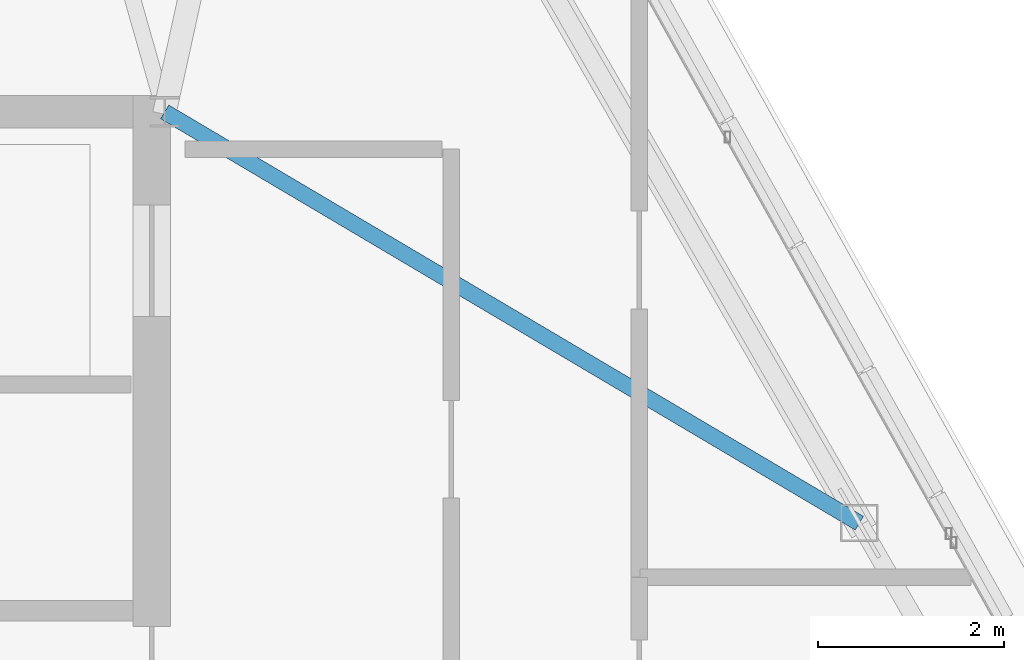
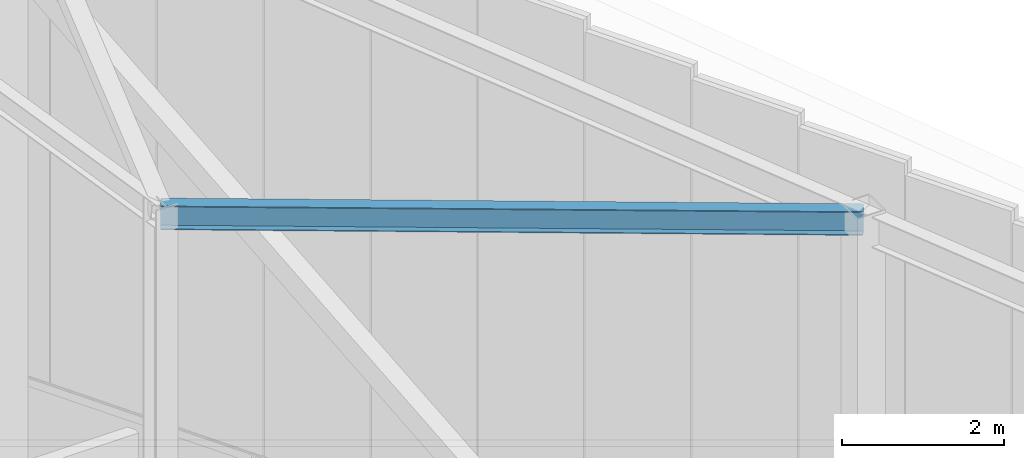
# One storey, part 29 of 50: 1 beam.
"""IFC4 building model written with IfcOpenShell, lengths in metres."""

from ifc_helpers import new_model, si_unit, direction, frame, origin, origin_2d, place, context, subcontext, project, spatial, i_section, extrude, source, transform, mapped, material, material_profile, profile_set, type_object, type_shapes, element, save


model = new_model("IFC4")

# Units and contexts
model_context = context("Model", 3, precision=1e-05, world=origin(), true_north=direction((0.0, 1.0)))
body_context = subcontext(model_context, "Body", "Model", "MODEL_VIEW")
ifc_project = project(units=[si_unit("LENGTHUNIT", "METRE"), si_unit("AREAUNIT", "SQUARE_METRE"), si_unit("VOLUMEUNIT", "CUBIC_METRE"), si_unit("PLANEANGLEUNIT", "RADIAN"), si_unit("MASSUNIT", "GRAM", prefix="KILO")], contexts=[model_context])

# Site, building, storey
site_placement = place(None, origin())
site = spatial("IfcSite", under=ifc_project, at=site_placement, CompositionType="ELEMENT")
building_placement = place(site_placement, origin())
building = spatial("IfcBuilding", under=site, at=building_placement, Name="Caelisora Broadcast Tower", CompositionType="ELEMENT")
storey_placement = place(building_placement, frame((0.0, 0.0, 303.39990234375)))
storey = spatial("IfcBuildingStorey", under=building, at=storey_placement, Name="L80", CompositionType="ELEMENT", Elevation=303.39990234375)

# Beam
ifc_material = material(Name="Steel Grade 350 (AS/NZS 3679.1)", Category="steel")
ifc_material_profile = material_profile(ifc_material, i_section(OverallWidth=0.172119140625, OverallDepth=0.358642578125, WebThickness=0.008056640625, FlangeThickness=0.012939453125, at=origin_2d()), Name="Steel Grade 350 (AS/NZS 3679.1)")
ifc_profile_set = profile_set([ifc_material_profile], Name="Steel Grade 350 (AS/NZS 3679.1)")
beam_type = type_object("IfcBeamType", Name="RB02", PredefinedType="USERDEFINED", material=ifc_profile_set)
shared_shape = source(origin(), body_context, "Body", "SweptSolid", [
    extrude(i_section(OverallWidth=0.172119140625, OverallDepth=0.358642578125, WebThickness=0.008056640625, FlangeThickness=0.012939453125, at=origin_2d()), origin(), (0.0, 0.0, 1.0), 8.674072265625),
])
type_shapes(beam_type, [shared_shape])
beam_placement = place(storey_placement, frame((45.5, 30.0, 10.7138671875), z_axis=(0.860515470589, -0.509419078997, -0.002307992954), x_axis=(0.509420435797, 0.860517762508, 0.0)))
element("IfcBeam", 1, at=beam_placement, inside=storey, type_object=beam_type, Name="L80 beam RB02", ObjectType="RAFTER", PredefinedType="USERDEFINED", context=body_context, shape_type="MappedRepresentation", body=[
    mapped(shared_shape, transform((0.0, 0.0, 0.0), scale=1.0)),
])

save(model, "model.ifc")
